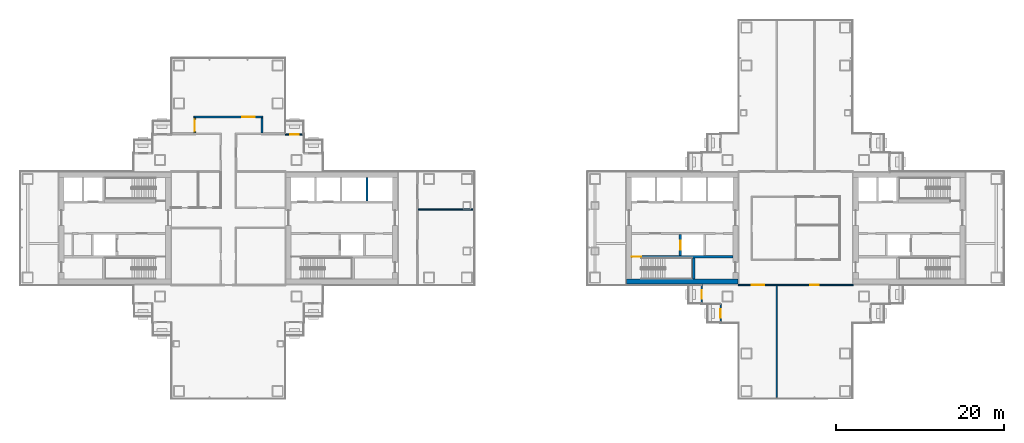
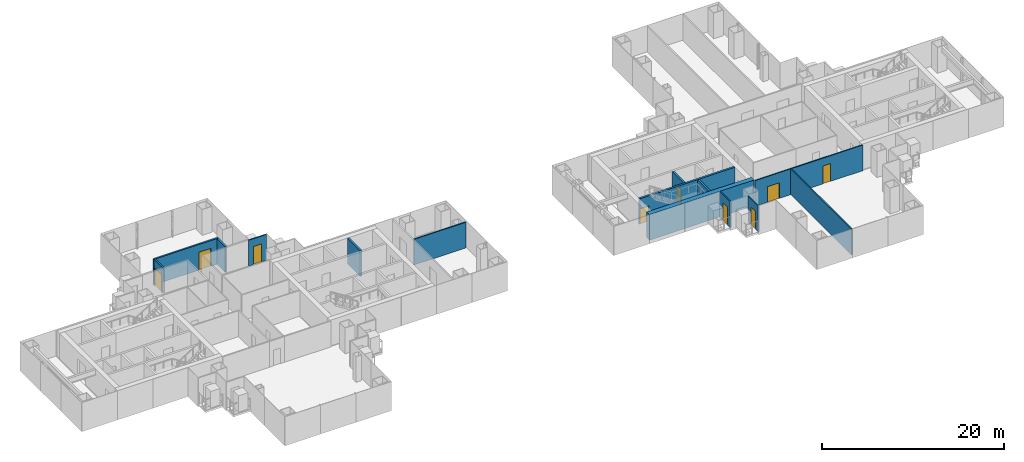
# One storey, part 14 of 20: 14 walls, 9 doors, 9 openings.
"""IFC4 building model written with IfcOpenShell, lengths in metres."""

from ifc_helpers import new_model, si_unit, direction, frame, frame_2d, origin, place, context, subcontext, project, spatial, rectangle, extrude, material, layer, layer_set, type_object, element, fill, save


model = new_model("IFC4")

# Units and contexts
model_context = context("Model", 3, precision=1e-05, world=origin(), true_north=direction((0.0, 1.0)))
body_context = subcontext(model_context, "Body", "Model", "MODEL_VIEW")
ifc_project = project(units=[si_unit("LENGTHUNIT", "METRE"), si_unit("AREAUNIT", "SQUARE_METRE"), si_unit("VOLUMEUNIT", "CUBIC_METRE"), si_unit("PLANEANGLEUNIT", "RADIAN"), si_unit("MASSUNIT", "GRAM", prefix="KILO")], contexts=[model_context])

# Site, building, storey
site_placement = place(None, origin())
site = spatial("IfcSite", under=ifc_project, at=site_placement, CompositionType="ELEMENT")
building_placement = place(site_placement, origin())
building = spatial("IfcBuilding", under=site, at=building_placement, Name="Shamsa Quay Exchange Towers", CompositionType="ELEMENT")
storey_placement = place(building_placement, frame((0.0, 0.0, 124.800048828125)))
storey = spatial("IfcBuildingStorey", under=building, at=storey_placement, Name="L29", CompositionType="ELEMENT", Elevation=124.800048828125)

# Wall, opening, door
ifc_material_1 = material(Name="Double-leaf gypsum board partition with acoustic insulation")
ifc_layer_1 = layer(ifc_material_1, 0.199951171875)
ifc_layer_set_1 = layer_set([ifc_layer_1], Name="Acoustic partition 200 mm EI 60")
wall_type_1 = type_object("IfcWallType", Name="Acoustic partition 200 mm EI 60", PredefinedType="PARTITIONING", material=ifc_layer_set_1)
wall_1_placement = place(storey_placement, frame((-37.75, 13.14990234375, 0.0), z_axis=(0.0, 0.0, 1.0), x_axis=(0.0, -1.0, 0.0)))
wall_1 = element("IfcWall", 1, at=wall_1_placement, inside=storey, type_object=wall_type_1, Name="Partition T1-R13-W13", PredefinedType="PARTITIONING", context=body_context, shape_type="SweptSolid", body=[
    extrude(rectangle(XDim=1.7998046875, YDim=0.199951171875, at=frame_2d((0.89990234375, 0.0))), origin(), (0.0, 0.0, 1.0), 3.449951171875),
])
opening_1_placement = place(wall_1_placement, frame((0.14990234375, 0.0, 0.0)))
opening_1 = element("IfcOpeningElement", 2, at=opening_1_placement, cuts=wall_1, Name="Opening T1-R13-D03", PredefinedType="OPENING", context=body_context, shape_type="SweptSolid", body=[
    extrude(rectangle(XDim=1.5, YDim=2.39990234375, at=frame_2d((0.75, 1.199951171875))), frame((0.0, 0.10986328125, 0.0), z_axis=(0.0, -1.0, 0.0), x_axis=(1.0, 0.0, 0.0)), (0.0, 0.0, 1.0), 0.219970703125),
])
ifc_material_2 = material(Name="Timber door leaf in a metal frame", Category="wood")
door_type_1 = type_object("IfcDoorType", Name="Door 1500x2400 FD30S pair", OperationType="NOTDEFINED", PredefinedType="DOOR", material=ifc_material_2)
door_1_placement = place(opening_1_placement, origin())
door_1 = element("IfcDoor", 3, at=door_1_placement, inside=storey, type_object=door_type_1, Name="Door T1-R13-D03", OperationType="DOUBLE_DOOR_SINGLE_SWING", OverallHeight=2.39990234375, OverallWidth=1.5, PredefinedType="DOOR", context=body_context, shape_type="SweptSolid", body=[
    extrude(rectangle(XDim=1.5, YDim=2.39990234375, at=frame_2d((0.75, 1.199951171875))), frame((0.0, 0.02490234375, 0.0), z_axis=(0.0, -1.0, 0.0), x_axis=(1.0, 0.0, 0.0)), (0.0, 0.0, 1.0), 0.050048828125),
])
fill(opening_1, door_1)

wall_2_placement = place(storey_placement, frame((-29.64990234375, 13.25, 0.0), z_axis=(0.0, 0.0, 1.0), x_axis=(-1.0, 0.0, 0.0)))
wall_2 = element("IfcWall", 4, at=wall_2_placement, inside=storey, type_object=wall_type_1, Name="Partition T1-R13-W14", PredefinedType="PARTITIONING", context=body_context, shape_type="SweptSolid", body=[
    extrude(rectangle(XDim=8.2001953125, YDim=0.199951171875, at=frame_2d((4.10009765625, 0.0))), origin(), (0.0, 0.0, 1.0), 3.449951171875),
])
opening_2_placement = place(wall_2_placement, frame((0.949951171875, 0.0, 0.0)))
opening_2 = element("IfcOpeningElement", 5, at=opening_2_placement, cuts=wall_2, Name="Opening T1-R13-D10", PredefinedType="OPENING", context=body_context, shape_type="SweptSolid", body=[
    extrude(rectangle(XDim=1.5, YDim=2.39990234375, at=frame_2d((0.75, 1.199951171875))), frame((0.0, 0.10986328125, 0.0), z_axis=(0.0, -1.0, 0.0), x_axis=(1.0, 0.0, 0.0)), (0.0, 0.0, 1.0), 0.219970703125),
])
door_2_placement = place(opening_2_placement, origin())
door_2 = element("IfcDoor", 6, at=door_2_placement, inside=storey, type_object=door_type_1, Name="Door T1-R13-D10", OperationType="DOUBLE_DOOR_SINGLE_SWING", OverallHeight=2.39990234375, OverallWidth=1.5, PredefinedType="DOOR", context=body_context, shape_type="SweptSolid", body=[
    extrude(rectangle(XDim=1.5, YDim=2.39990234375, at=frame_2d((0.75, 1.199951171875))), frame((0.0, 0.02490234375, 0.0), z_axis=(0.0, -1.0, 0.0), x_axis=(1.0, 0.0, 0.0)), (0.0, 0.0, 1.0), 0.050048828125),
])
fill(opening_2, door_2)

# Wall
wall_3_placement = place(storey_placement, frame((-29.75, 11.35009765625, 0.0), z_axis=(0.0, 0.0, 1.0), x_axis=(0.0, 1.0, 0.0)))
element("IfcWall", 7, at=wall_3_placement, inside=storey, type_object=wall_type_1, Name="Partition T1-R13-W15", PredefinedType="PARTITIONING", context=body_context, shape_type="SweptSolid", body=[
    extrude(rectangle(XDim=1.7998046875, YDim=0.199951171875, at=frame_2d((0.89990234375, 0.0))), origin(), (0.0, 0.0, 1.0), 3.449951171875),
])

# Wall, opening, door
ifc_material_3 = material(Name="Aluminium EN AW-6063 T6, black anodised, with black enamelled glass infill", Category="aluminium")
ifc_layer_2 = layer(ifc_material_3, 0.14990234375)
ifc_layer_set_2 = layer_set([ifc_layer_2], Name="BALCONY DOOR BAY WALL 150")
wall_type_2 = type_object("IfcWallType", Name="BALCONY DOOR BAY WALL 150", PredefinedType="SOLIDWALL", material=ifc_layer_set_2)
wall_4_placement = place(storey_placement, frame((-27.0, 11.175048828125, 0.0)))
wall_4 = element("IfcWall", 8, at=wall_4_placement, inside=storey, type_object=wall_type_2, Name="Door bay T1-PKEN L29", PredefinedType="SOLIDWALL", context=body_context, shape_type="SweptSolid", body=[
    extrude(rectangle(XDim=2.25, YDim=0.14990234375, at=frame_2d((1.125, 0.0))), origin(), (0.0, 0.0, 1.0), 3.449951171875),
])
opening_3_placement = place(wall_4_placement, frame((0.625, 0.0, 0.0)))
opening_3 = element("IfcOpeningElement", 9, at=opening_3_placement, cuts=wall_4, Name="Opening XD186", PredefinedType="OPENING", context=body_context, shape_type="SweptSolid", body=[
    extrude(rectangle(XDim=1.0, YDim=2.39990234375, at=frame_2d((0.5, 1.199951171875))), frame((0.0, 0.0849609375, 0.0), z_axis=(0.0, -1.0, 0.0), x_axis=(1.0, 0.0, 0.0)), (0.0, 0.0, 1.0), 0.169921875),
])
ifc_material_4 = material(Name="Aluminium EN AW-6063 T6, black anodised, with laminated glass leaf", Category="aluminium")
door_type_2 = type_object("IfcDoorType", Name="BALCONY DOOR 1000x2400", OperationType="SINGLE_SWING_LEFT", PredefinedType="DOOR", material=ifc_material_4)
door_3_placement = place(opening_3_placement, origin())
door_3 = element("IfcDoor", 10, at=door_3_placement, inside=storey, type_object=door_type_2, Name="Balcony door T1-PKEN L29", OperationType="SINGLE_SWING_LEFT", OverallHeight=2.39990234375, OverallWidth=1.0, PredefinedType="DOOR", context=body_context, shape_type="SweptSolid", body=[
    extrude(rectangle(XDim=1.0, YDim=2.39990234375, at=frame_2d((0.5, 1.199951171875))), frame((0.0, 0.02490234375, 0.0), z_axis=(0.0, -1.0, 0.0), x_axis=(1.0, 0.0, 0.0)), (0.0, 0.0, 1.0), 0.050048828125),
])
fill(opening_3, door_3)

wall_5_placement = place(storey_placement, frame((22.574951171875, -9.0, 0.0), z_axis=(0.0, 0.0, 1.0), x_axis=(0.0, 1.0, 0.0)))
wall_5 = element("IfcWall", 11, at=wall_5_placement, inside=storey, type_object=wall_type_2, Name="Door bay T2-PKWN L29", PredefinedType="SOLIDWALL", context=body_context, shape_type="SweptSolid", body=[
    extrude(rectangle(XDim=2.35693359375, YDim=0.14990234375, at=frame_2d((1.178466796875, 0.0))), origin(), (0.0, 0.0, 1.0), 3.449951171875),
])
opening_4_placement = place(wall_5_placement, frame((0.625, 0.0, 0.0)))
opening_4 = element("IfcOpeningElement", 12, at=opening_4_placement, cuts=wall_5, Name="Opening XD197", PredefinedType="OPENING", context=body_context, shape_type="SweptSolid", body=[
    extrude(rectangle(XDim=1.0, YDim=2.39990234375, at=frame_2d((0.5, 1.199951171875))), frame((0.0, 0.0849609375, 0.0), z_axis=(0.0, -1.0, 0.0), x_axis=(1.0, 0.0, 0.0)), (0.0, 0.0, 1.0), 0.169921875),
])
door_4_placement = place(opening_4_placement, origin())
door_4 = element("IfcDoor", 13, at=door_4_placement, inside=storey, type_object=door_type_2, Name="Balcony door T2-PKWN L29", OperationType="SINGLE_SWING_LEFT", OverallHeight=2.39990234375, OverallWidth=1.0, PredefinedType="DOOR", context=body_context, shape_type="SweptSolid", body=[
    extrude(rectangle(XDim=1.0, YDim=2.39990234375, at=frame_2d((0.5, 1.199951171875))), frame((0.0, 0.02490234375, 0.0), z_axis=(0.0, -1.0, 0.0), x_axis=(1.0, 0.0, 0.0)), (0.0, 0.0, 1.0), 0.050048828125),
])
fill(opening_4, door_4)

wall_6_placement = place(storey_placement, frame((24.824951171875, -11.25, 0.0), z_axis=(0.0, 0.0, 1.0), x_axis=(0.0, 1.0, 0.0)))
wall_6 = element("IfcWall", 14, at=wall_6_placement, inside=storey, type_object=wall_type_2, Name="Door bay T2-PKWN L29", PredefinedType="SOLIDWALL", context=body_context, shape_type="SweptSolid", body=[
    extrude(rectangle(XDim=2.25, YDim=0.14990234375, at=frame_2d((1.125, 0.0))), origin(), (0.0, 0.0, 1.0), 3.449951171875),
])
opening_5_placement = place(wall_6_placement, frame((0.625, 0.0, 0.0)))
opening_5 = element("IfcOpeningElement", 15, at=opening_5_placement, cuts=wall_6, Name="Opening XD198", PredefinedType="OPENING", context=body_context, shape_type="SweptSolid", body=[
    extrude(rectangle(XDim=1.0, YDim=2.39990234375, at=frame_2d((0.5, 1.199951171875))), frame((0.0, 0.0849609375, 0.0), z_axis=(0.0, -1.0, 0.0), x_axis=(1.0, 0.0, 0.0)), (0.0, 0.0, 1.0), 0.169921875),
])
door_5_placement = place(opening_5_placement, origin())
door_5 = element("IfcDoor", 16, at=door_5_placement, inside=storey, type_object=door_type_2, Name="Balcony door T2-PKWN L29", OperationType="SINGLE_SWING_RIGHT", OverallHeight=2.39990234375, OverallWidth=1.0, PredefinedType="DOOR", context=body_context, shape_type="SweptSolid", body=[
    extrude(rectangle(XDim=1.0, YDim=2.39990234375, at=frame_2d((0.5, 1.199951171875))), frame((0.0, 0.02490234375, 0.0), z_axis=(0.0, -1.0, 0.0), x_axis=(1.0, 0.0, 0.0)), (0.0, 0.0, 1.0), 0.050048828125),
])
fill(opening_5, door_5)

# Walls
ifc_material_5 = material(Name="Concrete C70/85", Category="concrete")
ifc_layer_3 = layer(ifc_material_5, 0.60009765625)
ifc_layer_set_3 = layer_set([ifc_layer_3], Name="CORE WALL 600 C70/85")
wall_type_3 = type_object("IfcWallType", Name="CORE WALL 600 C70/85", PredefinedType="SHEAR", material=ifc_layer_set_3)
wall_7_placement = place(storey_placement, frame((13.60009765625, -6.35009765625, 0.0)))
element("IfcWall", 17, at=wall_7_placement, inside=storey, type_object=wall_type_3, Name="Core wall T2A-R13-PS", PredefinedType="SHEAR", context=body_context, shape_type="SweptSolid", body=[
    extrude(rectangle(XDim=13.2998046875, YDim=0.60009765625, at=frame_2d((6.64990234375, 0.0))), origin(), (0.0, 0.0, 1.0), 3.449951171875),
])
ifc_material_6 = material(Name="Gypsum board partition on metal studs")
ifc_layer_4 = layer(ifc_material_6, 0.14990234375)
ifc_layer_set_4 = layer_set([ifc_layer_4], Name="Partition 150 mm EI 60")
wall_type_4 = type_object("IfcWallType", Name="Partition 150 mm EI 60", PredefinedType="PARTITIONING", material=ifc_layer_set_4)
wall_8_placement = place(storey_placement, frame((-4.594970703125, 2.25, 0.0), z_axis=(0.0, 0.0, 1.0), x_axis=(-1.0, 0.0, 0.0)))
element("IfcWall", 18, at=wall_8_placement, inside=storey, type_object=wall_type_4, Name="Partition T1-R13-W25", PredefinedType="PARTITIONING", context=body_context, shape_type="SweptSolid", body=[
    extrude(rectangle(XDim=6.580078125, YDim=0.14990234375, at=frame_2d((3.2900390625, 0.0))), origin(), (0.0, 0.0, 1.0), 3.449951171875),
])

# Wall, openings, doors
wall_9_placement = place(storey_placement, frame((40.60009765625, -6.75, 0.0), z_axis=(0.0, 0.0, 1.0), x_axis=(-1.0, 0.0, 0.0)))
wall_9 = element("IfcWall", 19, at=wall_9_placement, inside=storey, type_object=wall_type_4, Name="Partition T2-R13-W08", PredefinedType="PARTITIONING", context=body_context, shape_type="SweptSolid", body=[
    extrude(rectangle(XDim=13.7001953125, YDim=0.14990234375, at=frame_2d((6.85009765625, 0.0))), origin(), (0.0, 0.0, 1.0), 3.449951171875),
])
opening_6_placement = place(wall_9_placement, frame((10.60009765625, 0.0, 0.0)))
opening_6 = element("IfcOpeningElement", 20, at=opening_6_placement, cuts=wall_9, Name="Opening T2-R13-D07", PredefinedType="OPENING", context=body_context, shape_type="SweptSolid", body=[
    extrude(rectangle(XDim=1.5, YDim=2.10009765625, at=frame_2d((0.75, 1.050048828125))), frame((0.0, 0.0849609375, 0.0), z_axis=(0.0, -1.0, 0.0), x_axis=(1.0, 0.0, 0.0)), (0.0, 0.0, 1.0), 0.169921875),
])
opening_7_placement = place(wall_9_placement, frame((4.10009765625, 0.0, 0.0)))
opening_7 = element("IfcOpeningElement", 21, at=opening_7_placement, cuts=wall_9, Name="Opening T2-R13-D08", PredefinedType="OPENING", context=body_context, shape_type="SweptSolid", body=[
    extrude(rectangle(XDim=1.0, YDim=2.39990234375, at=frame_2d((0.5, 1.199951171875))), frame((0.0, 0.0849609375, 0.0), z_axis=(0.0, -1.0, 0.0), x_axis=(1.0, 0.0, 0.0)), (0.0, 0.0, 1.0), 0.169921875),
])
door_type_3 = type_object("IfcDoorType", Name="Door 1000x2400 FD30S", OperationType="NOTDEFINED", PredefinedType="DOOR", material=ifc_material_2)
door_6_placement = place(opening_7_placement, origin())
door_6 = element("IfcDoor", 22, at=door_6_placement, inside=storey, type_object=door_type_3, Name="Door T2-R13-D08", OperationType="SINGLE_SWING_LEFT", OverallHeight=2.39990234375, OverallWidth=1.0, PredefinedType="DOOR", context=body_context, shape_type="SweptSolid", body=[
    extrude(rectangle(XDim=1.0, YDim=2.39990234375, at=frame_2d((0.5, 1.199951171875))), frame((0.0, 0.02490234375, 0.0), z_axis=(0.0, -1.0, 0.0), x_axis=(1.0, 0.0, 0.0)), (0.0, 0.0, 1.0), 0.050048828125),
])
fill(opening_7, door_6)
door_type_4 = type_object("IfcDoorType", Name="Door 1500x2100 FD30S pair", OperationType="NOTDEFINED", PredefinedType="DOOR", material=ifc_material_2)
door_7_placement = place(opening_6_placement, origin())
door_7 = element("IfcDoor", 23, at=door_7_placement, inside=storey, type_object=door_type_4, Name="Door T2-R13-D07", OperationType="DOUBLE_DOOR_SINGLE_SWING", OverallHeight=2.10009765625, OverallWidth=1.5, PredefinedType="DOOR", context=body_context, shape_type="SweptSolid", body=[
    extrude(rectangle(XDim=1.5, YDim=2.10009765625, at=frame_2d((0.75, 1.050048828125))), frame((0.0, 0.02490234375, 0.0), z_axis=(0.0, -1.0, 0.0), x_axis=(1.0, 0.0, 0.0)), (0.0, 0.0, 1.0), 0.050048828125),
])
fill(opening_6, door_7)

# Walls
wall_10_placement = place(storey_placement, frame((31.5, -6.824951171875, 0.0), z_axis=(0.0, 0.0, 1.0), x_axis=(0.0, -1.0, 0.0)))
element("IfcWall", 24, at=wall_10_placement, inside=storey, type_object=wall_type_4, Name="Partition T2-R13-W12", PredefinedType="PARTITIONING", context=body_context, shape_type="SweptSolid", body=[
    extrude(rectangle(XDim=13.330078125, YDim=0.14990234375, at=frame_2d((6.6650390625, 0.0))), origin(), (0.0, 0.0, 1.0), 3.449951171875),
])
ifc_material_7 = material(Name="Concrete C50/60", Category="concrete")
ifc_layer_5 = layer(ifc_material_7, 0.25)
ifc_layer_set_5 = layer_set([ifc_layer_5], Name="SHAFT WALL 250 C50/60")
wall_type_5 = type_object("IfcWallType", Name="SHAFT WALL 250 C50/60", PredefinedType="SHEAR", material=ifc_layer_set_5)
wall_11_placement = place(storey_placement, frame((-17.27490234375, 3.25, 0.0), z_axis=(0.0, 0.0, 1.0), x_axis=(0.0, 1.0, 0.0)))
element("IfcWall", 25, at=wall_11_placement, inside=storey, type_object=wall_type_5, Name="Shaft wall T1A-R13-D2", PredefinedType="SHEAR", context=body_context, shape_type="SweptSolid", body=[
    extrude(rectangle(XDim=2.800048828125, YDim=0.25, at=frame_2d((1.39990234375, 0.0))), origin(), (0.0, 0.0, 1.0), 3.449951171875),
])

# Wall, opening, door
wall_12_placement = place(storey_placement, frame((26.300048828125, -3.375, 0.0), z_axis=(0.0, 0.0, 1.0), x_axis=(-1.0, 0.0, 0.0)))
wall_12 = element("IfcWall", 26, at=wall_12_placement, inside=storey, type_object=wall_type_5, Name="Shaft wall T2A-R13-STL", PredefinedType="SHEAR", context=body_context, shape_type="SweptSolid", body=[
    extrude(rectangle(XDim=12.10009765625, YDim=0.25, at=frame_2d((6.050048828125, 0.0))), origin(), (0.0, 0.0, 1.0), 3.449951171875),
])
opening_8_placement = place(wall_12_placement, frame((10.949951171875, 0.0, 0.0)))
opening_8 = element("IfcOpeningElement", 27, at=opening_8_placement, cuts=wall_12, Name="Opening T2A-R13-SD04", PredefinedType="OPENING", context=body_context, shape_type="SweptSolid", body=[
    extrude(rectangle(XDim=1.10009765625, YDim=2.10009765625, at=frame_2d((0.550048828125, 1.050048828125))), frame((0.0, 0.135009765625, 0.0), z_axis=(0.0, -1.0, 0.0), x_axis=(1.0, 0.0, 0.0)), (0.0, 0.0, 1.0), 0.27001953125),
])
ifc_material_8 = material(Name="Steel, fire rated", Category="steel")
door_type_5 = type_object("IfcDoorType", Name="STAIR DOOR 1100", OperationType="SINGLE_SWING_LEFT", PredefinedType="DOOR", material=ifc_material_8)
door_8_placement = place(opening_8_placement, origin())
door_8 = element("IfcDoor", 28, at=door_8_placement, inside=storey, type_object=door_type_5, Name="T2A-R13-SD04", OperationType="SINGLE_SWING_RIGHT", OverallHeight=2.10009765625, OverallWidth=1.10009765625, PredefinedType="DOOR", context=body_context, shape_type="SweptSolid", body=[
    extrude(rectangle(XDim=1.10009765625, YDim=2.10009765625, at=frame_2d((0.550048828125, 1.050048828125))), frame((0.0, 0.02490234375, 0.0), z_axis=(0.0, -1.0, 0.0), x_axis=(1.0, 0.0, 0.0)), (0.0, 0.0, 1.0), 0.050048828125),
])
fill(opening_8, door_8)

# Wall
wall_13_placement = place(storey_placement, frame((21.625, -6.050048828125, 0.0), z_axis=(0.0, 0.0, 1.0), x_axis=(0.0, 1.0, 0.0)))
element("IfcWall", 29, at=wall_13_placement, inside=storey, type_object=wall_type_5, Name="Shaft wall T2A-R13-STF", PredefinedType="SHEAR", context=body_context, shape_type="SweptSolid", body=[
    extrude(rectangle(XDim=2.550048828125, YDim=0.25, at=frame_2d((1.27490234375, 0.0))), origin(), (0.0, 0.0, 1.0), 3.449951171875),
])

# Wall, opening, door
wall_14_placement = place(storey_placement, frame((20.02490234375, -3.25, 0.0), z_axis=(0.0, 0.0, 1.0), x_axis=(0.0, 1.0, 0.0)))
wall_14 = element("IfcWall", 30, at=wall_14_placement, inside=storey, type_object=wall_type_5, Name="Shaft wall T2A-R13-FFF", PredefinedType="SHEAR", context=body_context, shape_type="SweptSolid", body=[
    extrude(rectangle(XDim=2.5, YDim=0.25, at=frame_2d((1.25, 0.0))), origin(), (0.0, 0.0, 1.0), 3.449951171875),
])
opening_9_placement = place(wall_14_placement, frame((0.699951171875, 0.0, 0.0)))
opening_9 = element("IfcOpeningElement", 31, at=opening_9_placement, cuts=wall_14, Name="Opening T2A-R13-LDF07", PredefinedType="OPENING", context=body_context, shape_type="SweptSolid", body=[
    extrude(rectangle(XDim=1.10009765625, YDim=2.10009765625, at=frame_2d((0.550048828125, 1.050048828125))), frame((0.0, 0.135009765625, 0.0), z_axis=(0.0, -1.0, 0.0), x_axis=(1.0, 0.0, 0.0)), (0.0, 0.0, 1.0), 0.27001953125),
])
door_type_6 = type_object("IfcDoorType", Name="FIRE SERVICE LANDING DOOR 1100", OperationType="SLIDING_TO_LEFT", PredefinedType="DOOR", material=ifc_material_8)
door_9_placement = place(opening_9_placement, origin())
door_9 = element("IfcDoor", 32, at=door_9_placement, inside=storey, type_object=door_type_6, Name="T2A-R13-LDF07", OperationType="SLIDING_TO_LEFT", OverallHeight=2.10009765625, OverallWidth=1.10009765625, PredefinedType="DOOR", context=body_context, shape_type="SweptSolid", body=[
    extrude(rectangle(XDim=1.10009765625, YDim=2.10009765625, at=frame_2d((0.550048828125, 1.050048828125))), frame((0.0, 0.02490234375, 0.0), z_axis=(0.0, -1.0, 0.0), x_axis=(1.0, 0.0, 0.0)), (0.0, 0.0, 1.0), 0.050048828125),
])
fill(opening_9, door_9)

save(model, "model.ifc")
